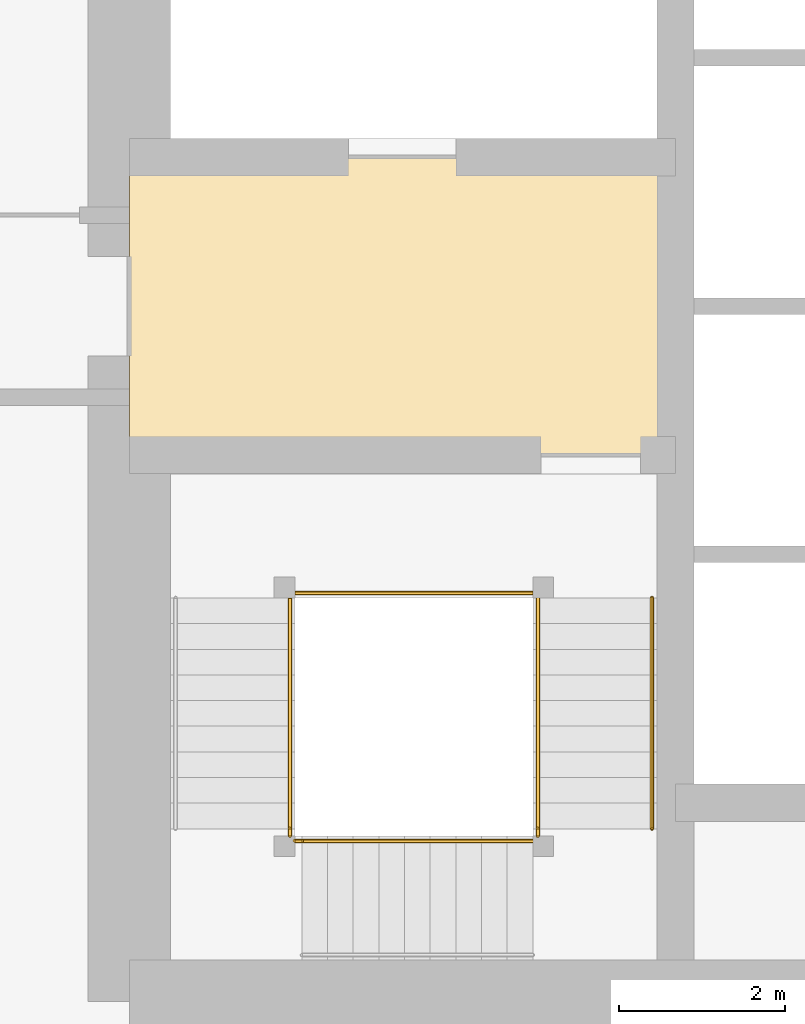
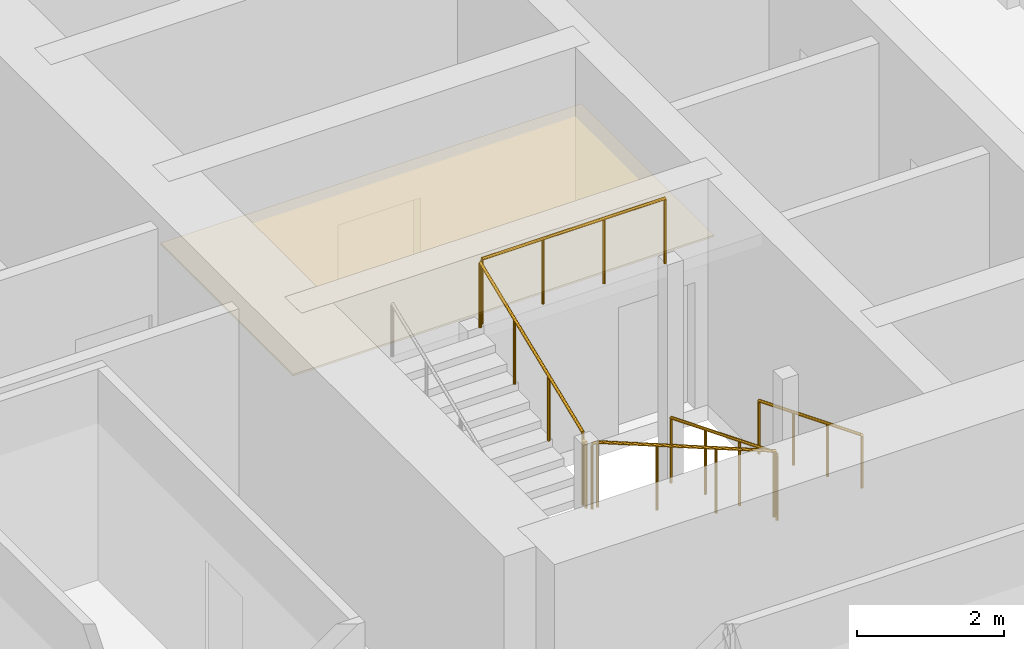
# One storey, part 29 of 35: 8 railings, 1 covering.
"""IFC4 building model written with IfcOpenShell, lengths in metres."""

from ifc_helpers import new_model, si_unit, direction, frame, origin, origin_2d, place, context, subcontext, project, spatial, polyline, circle, outline, extrude, material, layer, layer_set, type_object, element, save


model = new_model("IFC4")

# Units and contexts
model_context = context("Model", 3, precision=1e-05, world=origin(), true_north=direction((0.0, 1.0)))
body_context = subcontext(model_context, "Body", "Model", "MODEL_VIEW")
ifc_project = project(units=[si_unit("LENGTHUNIT", "METRE"), si_unit("AREAUNIT", "SQUARE_METRE"), si_unit("VOLUMEUNIT", "CUBIC_METRE"), si_unit("PLANEANGLEUNIT", "RADIAN"), si_unit("MASSUNIT", "GRAM", prefix="KILO")], contexts=[model_context])

# Site, building, storey
site_placement = place(None, origin())
site = spatial("IfcSite", under=ifc_project, at=site_placement, CompositionType="ELEMENT")
building_placement = place(site_placement, origin())
building = spatial("IfcBuilding", under=site, at=building_placement, Name="Rekha Terrace Tower", CompositionType="ELEMENT")
storey_placement = place(building_placement, frame((0.0, 0.0, 191.449951171875)))
storey = spatial("IfcBuildingStorey", under=building, at=storey_placement, Name="L48", CompositionType="ELEMENT", Elevation=191.449951171875)

# Covering
ifc_material_1 = material(Name="Powder-coated aluminium pan", Category="aluminium")
ifc_layer = layer(ifc_material_1, 0.030029296875)
ifc_layer_set = layer_set([ifc_layer], Name="Powder-coated aluminium pan")
covering_type = type_object("IfcCoveringType", Name="CL3 300x1200 metal pan ceiling", PredefinedType="CEILING", material=ifc_layer_set)
covering_placement = place(storey_placement, frame((0.0, 0.0, 2.570068359375)))
element("IfcCovering", 1, at=covering_placement, inside=storey, type_object=covering_type, Name="Ceiling L48-FLB1", PredefinedType="CEILING", context=body_context, shape_type="SweptSolid", body=[
    extrude(outline(polyline([(31.800048828125, 31.199951171875), (25.199951171875, 31.199951171875), (25.199951171875, 27.60009765625), (31.800048828125, 27.60009765625), (31.800048828125, 31.199951171875)])), origin(), (0.0, 0.0, 1.0), 0.030029296875),
])

# Railings
ifc_material_2 = material(Name="Stainless steel balustrade", Category="steel")
railing_type_1 = type_object("IfcRailingType", Name="GR1 1100 stair guard", PredefinedType="GUARDRAIL", material=ifc_material_2)
railing_1_placement = place(storey_placement, frame((30.135009765625, 25.875, 0.125)))
element("IfcRailing", 2, at=railing_1_placement, inside=storey, type_object=railing_type_1, Name="Guard ST1 L48 flight 1", PredefinedType="GUARDRAIL", context=body_context, shape_type="SweptSolid", body=[
    extrude(circle(Radius=0.02392578125, at=origin_2d()), frame((0.0, 0.0, 1.076171875), z_axis=(0.0, -0.927443287984, 0.373963831907), x_axis=(1.0, 0.0, 0.0)), (0.0, 0.0, 1.0), 3.00830078125),
    extrude(circle(Radius=0.02099609375, at=origin_2d()), origin(), (0.0, 0.0, 1.0), 1.052001953125),
    extrude(circle(Radius=0.02099609375, at=origin_2d()), frame((0.0, -0.929931640625, 0.375)), (0.0, 0.0, 1.0), 1.052001953125),
    extrude(circle(Radius=0.02099609375, at=origin_2d()), frame((0.0, -1.860107421875, 0.75)), (0.0, 0.0, 1.0), 1.052001953125),
    extrude(circle(Radius=0.02099609375, at=origin_2d()), frame((0.0, -2.7900390625, 1.125)), (0.0, 0.0, 1.0), 1.052001953125),
])
railing_2_placement = place(storey_placement, frame((30.074951171875, 22.93994140625, 1.375)))
element("IfcRailing", 3, at=railing_2_placement, inside=storey, type_object=railing_type_1, Name="Guard ST1 L48 flight 2", PredefinedType="GUARDRAIL", context=body_context, shape_type="SweptSolid", body=[
    extrude(circle(Radius=0.02392578125, at=origin_2d()), frame((0.0, 0.0, 1.076171875), z_axis=(-0.927443287984, 0.0, 0.373963831907), x_axis=(0.0, -1.0, 0.0)), (0.0, 0.0, 1.0), 3.00830078125),
    extrude(circle(Radius=0.02099609375, at=origin_2d()), origin(), (0.0, 0.0, 1.0), 1.052001953125),
    extrude(circle(Radius=0.02099609375, at=origin_2d()), frame((-0.929931640625, 0.0, 0.375)), (0.0, 0.0, 1.0), 1.052001953125),
    extrude(circle(Radius=0.02099609375, at=origin_2d()), frame((-1.860107421875, 0.0, 0.75)), (0.0, 0.0, 1.0), 1.052001953125),
    extrude(circle(Radius=0.02099609375, at=origin_2d()), frame((-2.7900390625, 0.0, 1.125)), (0.0, 0.0, 1.0), 1.052001953125),
])
railing_3_placement = place(storey_placement, frame((27.139892578125, 23.0849609375, 2.625)))
element("IfcRailing", 4, at=railing_3_placement, inside=storey, type_object=railing_type_1, Name="Guard ST1 L48 flight 3", PredefinedType="GUARDRAIL", context=body_context, shape_type="SweptSolid", body=[
    extrude(circle(Radius=0.02392578125, at=origin_2d()), frame((0.0, 0.0, 1.076171875), z_axis=(0.0, 0.927443287984, 0.373963831907), x_axis=(-1.0, 0.0, 0.0)), (0.0, 0.0, 1.0), 3.00830078125),
    extrude(circle(Radius=0.02099609375, at=origin_2d()), origin(), (0.0, 0.0, 1.0), 1.052001953125),
    extrude(circle(Radius=0.02099609375, at=origin_2d()), frame((0.0, 0.929931640625, 0.375)), (0.0, 0.0, 1.0), 1.052001953125),
    extrude(circle(Radius=0.02099609375, at=origin_2d()), frame((0.0, 1.860107421875, 0.75)), (0.0, 0.0, 1.0), 1.052001953125),
    extrude(circle(Radius=0.02099609375, at=origin_2d()), frame((0.0, 2.7900390625, 1.125)), (0.0, 0.0, 1.0), 1.052001953125),
])
railing_4_placement = place(storey_placement, frame((30.135009765625, 23.0849609375, 1.25)))
element("IfcRailing", 5, at=railing_4_placement, inside=storey, type_object=railing_type_1, Name="Guard ST1 L48 landing 1", PredefinedType="GUARDRAIL", context=body_context, shape_type="SweptSolid", body=[
    extrude(circle(Radius=0.02392578125, at=origin_2d()), frame((0.0, 0.0, 1.076171875), z_axis=(0.0, -1.0, 0.0), x_axis=(1.0, 0.0, 0.0)), (0.0, 0.0, 1.0), 0.0849609375),
    extrude(circle(Radius=0.02099609375, at=origin_2d()), origin(), (0.0, 0.0, 1.0), 1.052001953125),
    extrude(circle(Radius=0.02099609375, at=origin_2d()), frame((0.0, -0.0849609375, 0.0)), (0.0, 0.0, 1.0), 1.052001953125),
])
railing_5_placement = place(storey_placement, frame((27.284912109375, 22.93994140625, 2.5)))
element("IfcRailing", 6, at=railing_5_placement, inside=storey, type_object=railing_type_1, Name="Guard ST1 L48 landing 2", PredefinedType="GUARDRAIL", context=body_context, shape_type="SweptSolid", body=[
    extrude(circle(Radius=0.02392578125, at=origin_2d()), frame((0.0, 0.0, 1.076171875), z_axis=(-1.0, 0.0, 0.0), x_axis=(0.0, -1.0, 0.0)), (0.0, 0.0, 1.0), 0.0849609375),
    extrude(circle(Radius=0.02099609375, at=origin_2d()), origin(), (0.0, 0.0, 1.0), 1.052001953125),
    extrude(circle(Radius=0.02099609375, at=origin_2d()), frame((-0.0849609375, 0.0, 0.0)), (0.0, 0.0, 1.0), 1.052001953125),
])
railing_6_placement = place(storey_placement, frame((27.139892578125, 23.0849609375, 2.5)))
element("IfcRailing", 7, at=railing_6_placement, inside=storey, type_object=railing_type_1, Name="Guard ST1 L48 landing 3", PredefinedType="GUARDRAIL", context=body_context, shape_type="SweptSolid", body=[
    extrude(circle(Radius=0.02392578125, at=origin_2d()), frame((0.0, 0.0, 1.076171875), z_axis=(0.0, -1.0, 0.0), x_axis=(1.0, 0.0, 0.0)), (0.0, 0.0, 1.0), 0.0849609375),
    extrude(circle(Radius=0.02099609375, at=origin_2d()), origin(), (0.0, 0.0, 1.0), 1.052001953125),
    extrude(circle(Radius=0.02099609375, at=origin_2d()), frame((0.0, -0.0849609375, 0.0)), (0.0, 0.0, 1.0), 1.052001953125),
])
railing_7_placement = place(storey_placement, frame((30.074951171875, 25.93505859375, 3.75)))
element("IfcRailing", 8, at=railing_7_placement, inside=storey, type_object=railing_type_1, Name="Guard ST1 L48 landing 4", PredefinedType="GUARDRAIL", context=body_context, shape_type="SweptSolid", body=[
    extrude(circle(Radius=0.02392578125, at=origin_2d()), frame((0.0, 0.0, 1.076171875), z_axis=(-1.0, 0.0, 0.0), x_axis=(0.0, -1.0, 0.0)), (0.0, 0.0, 1.0), 2.875),
    extrude(circle(Radius=0.02099609375, at=origin_2d()), origin(), (0.0, 0.0, 1.0), 1.052001953125),
    extrude(circle(Radius=0.02099609375, at=origin_2d()), frame((-0.958251953125, 0.0, 0.0)), (0.0, 0.0, 1.0), 1.052001953125),
    extrude(circle(Radius=0.02099609375, at=origin_2d()), frame((-1.916748046875, 0.0, 0.0)), (0.0, 0.0, 1.0), 1.052001953125),
    extrude(circle(Radius=0.02099609375, at=origin_2d()), frame((-2.875, 0.0, 0.0)), (0.0, 0.0, 1.0), 1.052001953125),
])
ifc_material_3 = material(Name="Stainless steel tube", Category="steel")
railing_type_2 = type_object("IfcRailingType", Name="HR1 900 stair handrail", PredefinedType="HANDRAIL", material=ifc_material_3)
railing_8_placement = place(storey_placement, frame((31.514892578125, 25.875, 0.125)))
element("IfcRailing", 9, at=railing_8_placement, inside=storey, type_object=railing_type_2, Name="Handrail ST1 L48 flight 1", PredefinedType="HANDRAIL", context=body_context, shape_type="SweptSolid", body=[
    extrude(circle(Radius=0.02392578125, at=origin_2d()), frame((0.0, 0.0, 0.8759765625), z_axis=(0.0, -0.927443287984, 0.373963831907), x_axis=(1.0, 0.0, 0.0)), (0.0, 0.0, 1.0), 3.00830078125),
    extrude(circle(Radius=0.02099609375, at=origin_2d()), origin(), (0.0, 0.0, 1.0), 0.851806640625),
    extrude(circle(Radius=0.02099609375, at=origin_2d()), frame((0.0, -0.929931640625, 0.375)), (0.0, 0.0, 1.0), 0.851806640625),
    extrude(circle(Radius=0.02099609375, at=origin_2d()), frame((0.0, -1.860107421875, 0.75)), (0.0, 0.0, 1.0), 0.851806640625),
    extrude(circle(Radius=0.02099609375, at=origin_2d()), frame((0.0, -2.7900390625, 1.125)), (0.0, 0.0, 1.0), 0.851806640625),
])

save(model, "model.ifc")
